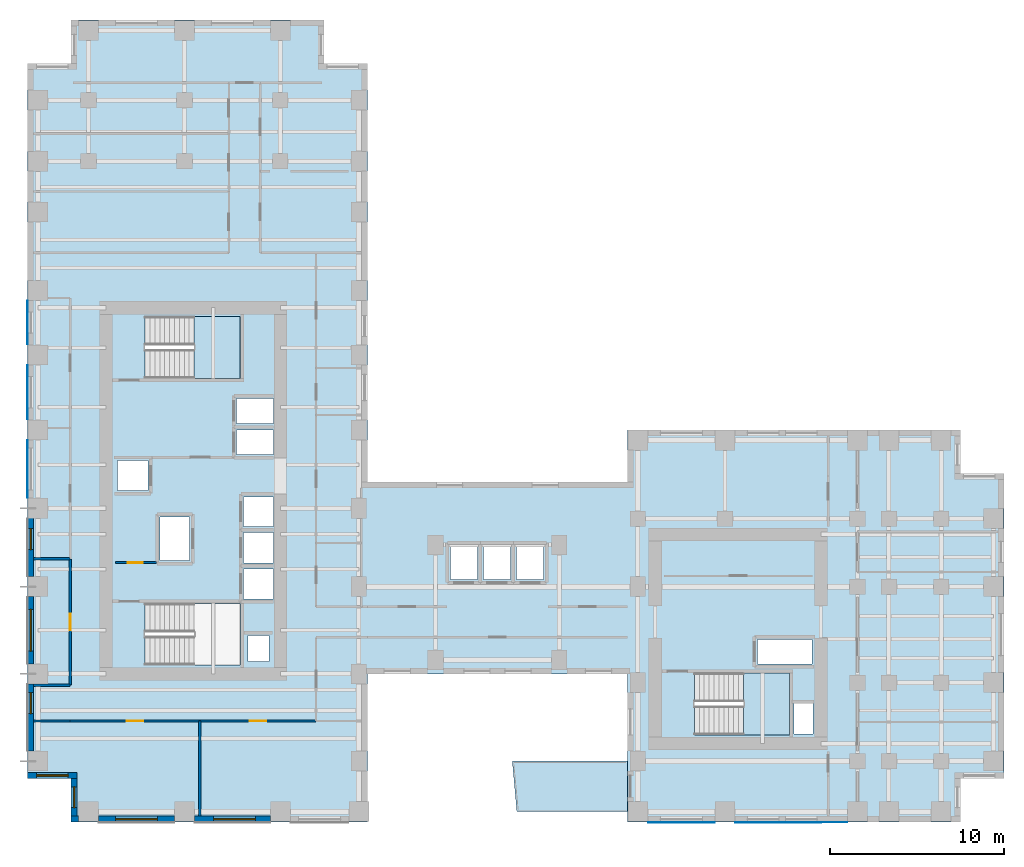
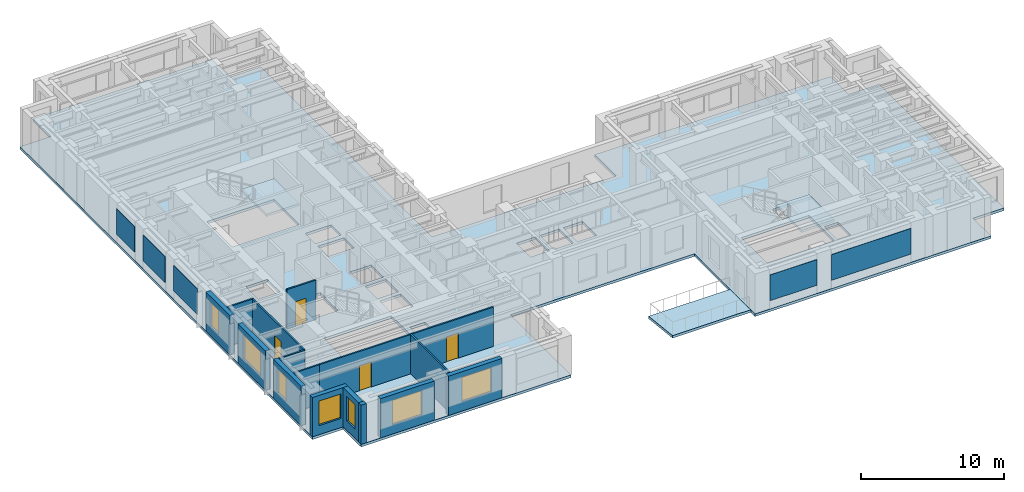
# One storey, part 3 of 12: 16 walls, 7 windows, 5 plates, 4 doors, 4 slabs, 11 openings, 2 elements without a shape of their own.
"""IFC4 building model written with IfcOpenShell, lengths in metres."""

from ifc_helpers import new_model, si_unit, direction, frame, frame_2d, origin, origin_2d, place, context, subcontext, project, spatial, polyline, rectangle, outline, extrude, source, transform, mapped, material, layer, layer_set, type_object, element, fill, aggregate, save


model = new_model("IFC4")

# Units and contexts
model_context = context("Model", 3, precision=1e-05, world=origin(), true_north=direction((0.0, 1.0)))
body_context = subcontext(model_context, "Body", "Model", "MODEL_VIEW")
ifc_project = project(units=[si_unit("LENGTHUNIT", "METRE"), si_unit("AREAUNIT", "SQUARE_METRE"), si_unit("VOLUMEUNIT", "CUBIC_METRE"), si_unit("PLANEANGLEUNIT", "RADIAN"), si_unit("MASSUNIT", "GRAM", prefix="KILO")], contexts=[model_context])

# Site, building, storey
site_placement = place(None, origin())
site = spatial("IfcSite", under=ifc_project, at=site_placement, CompositionType="ELEMENT")
building_placement = place(site_placement, origin())
building = spatial("IfcBuilding", under=site, at=building_placement, Name="Kharzan Plaza Tower", CompositionType="ELEMENT")
storey_placement = place(building_placement, frame((0.0, 0.0, 91.800048828125)))
storey = spatial("IfcBuildingStorey", under=building, at=storey_placement, Name="L24", CompositionType="ELEMENT", Elevation=91.800048828125)

# Slab
ifc_material_1 = material(Name="Concrete C40/50", Category="concrete")
ifc_layer_1 = layer(ifc_material_1, 0.219970703125)
ifc_layer_set_1 = layer_set([ifc_layer_1], Name="Concrete C40/50")
slab_type_1 = type_object("IfcSlabType", Name="SL-FLOOR-220", PredefinedType="FLOOR", material=ifc_layer_set_1)
slab_1_placement = place(storey_placement, frame((0.0, 0.0, -0.219970703125)))
element("IfcSlab", 1, at=slab_1_placement, inside=storey, type_object=slab_type_1, Name="L24 Composite Structural Floor Slab 220 mm", PredefinedType="FLOOR", context=body_context, shape_type="SweptSolid", body=[
    extrude(outline(polyline([(34.39990234375, 19.5), (19.5, 19.5), (19.5, 43.5), (17.0, 43.5), (17.0, 46.0), (2.5, 46.0), (2.5, 43.5), (0.0, 43.5), (0.0, 2.5), (2.5, 2.5), (2.5, 0.0), (19.5, 0.0), (19.5, 8.5), (34.39990234375, 8.5), (34.39990234375, 0.0), (53.5, 0.0), (53.5, 2.5), (56.0, 2.5), (56.0, 20.0), (53.5, 20.0), (53.5, 22.5), (34.39990234375, 22.5), (34.39990234375, 19.5)]), holes=[polyline([(12.199951171875, 9.0), (12.199951171875, 12.550048828125), (6.75, 12.550048828125), (6.75, 9.0), (12.199951171875, 9.0)]), polyline([(14.10009765625, 12.800048828125), (14.10009765625, 14.530029296875), (12.39990234375, 14.530029296875), (12.39990234375, 12.800048828125), (14.10009765625, 12.800048828125)]), polyline([(14.10009765625, 14.8701171875), (14.10009765625, 16.60009765625), (12.39990234375, 16.60009765625), (12.39990234375, 14.8701171875), (14.10009765625, 14.8701171875)]), polyline([(9.300048828125, 15.0), (9.300048828125, 17.5), (7.60009765625, 17.5), (7.60009765625, 15.0), (9.300048828125, 15.0)]), polyline([(6.89990234375, 19.010009765625), (6.89990234375, 20.72998046875), (5.14990234375, 20.72998046875), (5.14990234375, 19.010009765625), (6.89990234375, 19.010009765625)]), polyline([(14.10009765625, 21.070068359375), (14.10009765625, 22.489990234375), (12.0, 22.489990234375), (12.0, 21.070068359375), (14.10009765625, 21.070068359375)]), polyline([(14.10009765625, 22.8701171875), (14.10009765625, 24.2900390625), (12.0, 24.2900390625), (12.0, 22.8701171875), (14.10009765625, 22.8701171875)]), polyline([(12.199951171875, 25.449951171875), (12.199951171875, 29.0), (6.75, 29.0), (6.75, 25.449951171875), (12.199951171875, 25.449951171875)]), polyline([(45.050048828125, 5.050048828125), (45.050048828125, 6.800048828125), (43.949951171875, 6.800048828125), (43.949951171875, 5.050048828125), (45.050048828125, 5.050048828125)]), polyline([(43.699951171875, 5.0), (43.699951171875, 8.550048828125), (38.25, 8.550048828125), (38.25, 5.0), (43.699951171875, 5.0)]), polyline([(45.0, 9.070068359375), (45.0, 10.469970703125), (41.85009765625, 10.469970703125), (41.85009765625, 9.070068359375), (45.0, 9.070068359375)]), polyline([(13.85009765625, 9.199951171875), (13.85009765625, 10.699951171875), (12.64990234375, 10.699951171875), (12.64990234375, 9.199951171875), (13.85009765625, 9.199951171875)]), polyline([(25.800048828125, 13.89990234375), (25.800048828125, 15.85009765625), (24.25, 15.85009765625), (24.25, 13.89990234375), (25.800048828125, 13.89990234375)]), polyline([(27.699951171875, 13.89990234375), (27.699951171875, 15.85009765625), (26.14990234375, 15.85009765625), (26.14990234375, 13.89990234375), (27.699951171875, 13.89990234375)]), polyline([(29.60009765625, 13.89990234375), (29.60009765625, 15.85009765625), (28.050048828125, 15.85009765625), (28.050048828125, 13.89990234375), (29.60009765625, 13.89990234375)]), polyline([(14.10009765625, 16.93994140625), (14.10009765625, 18.64990234375), (12.39990234375, 18.64990234375), (12.39990234375, 16.93994140625), (14.10009765625, 16.93994140625)])]), origin(), (0.0, 0.0, 1.0), 0.219970703125),
])

# Stair, slab
stair_type_1 = type_object("IfcStairType", Name="STR-ST-2", PredefinedType="HALF_TURN_STAIR", material=ifc_material_1)
stair_1_placement = place(storey_placement, origin())
stair_1 = element("IfcStair", 2, at=stair_1_placement, inside=storey, type_object=stair_type_1, Name="L24 Protected Exit Stair ST-2", PredefinedType="HALF_TURN_STAIR")
ifc_layer_2 = layer(ifc_material_1, 0.219970703125)
ifc_layer_set_2 = layer_set([ifc_layer_2], Name="Concrete C40/50")
slab_type_2 = type_object("IfcSlabType", Name="SL-LANDING-220", PredefinedType="LANDING", material=ifc_layer_set_2)
slab_2_placement = place(storey_placement, frame((0.0, 0.0, 1.599853515625)))
slab_2 = element("IfcSlab", 3, at=slab_2_placement, type_object=slab_type_2, Name="ST-2 landing 1", PredefinedType="LANDING", context=body_context, shape_type="SweptSolid", body=[
    extrude(outline(polyline([(9.550048828125, 25.449951171875), (12.199951171875, 25.449951171875), (12.199951171875, 29.0), (9.550048828125, 29.0), (9.550048828125, 25.449951171875)])), origin(), (0.0, 0.0, 1.0), 0.2001953125),
])
aggregate(stair_1, [slab_2])

stair_type_2 = type_object("IfcStairType", Name="STR-ST-3", PredefinedType="HALF_TURN_STAIR", material=ifc_material_1)
stair_2_placement = place(storey_placement, origin())
stair_2 = element("IfcStair", 4, at=stair_2_placement, inside=storey, type_object=stair_type_2, Name="L24 Protected Exit Stair ST-3", PredefinedType="HALF_TURN_STAIR")
slab_3_placement = place(storey_placement, frame((0.0, 0.0, 1.599853515625)))
slab_3 = element("IfcSlab", 5, at=slab_3_placement, type_object=slab_type_2, Name="ST-3 landing 1", PredefinedType="LANDING", context=body_context, shape_type="SweptSolid", body=[
    extrude(outline(polyline([(41.050048828125, 5.0), (43.699951171875, 5.0), (43.699951171875, 8.550048828125), (41.050048828125, 8.550048828125), (41.050048828125, 5.0)])), origin(), (0.0, 0.0, 1.0), 0.2001953125),
])
aggregate(stair_2, [slab_3])

# Slab
ifc_layer_3 = layer(ifc_material_1, 0.215087890625)
ifc_layer_set_3 = layer_set([ifc_layer_3], Name="Concrete C40/50")
slab_type_3 = type_object("IfcSlabType", Name="SL-TRAY-215", PredefinedType="ROOF", material=ifc_layer_set_3)
slab_4_placement = place(storey_placement, frame((0.0, 0.0, -0.215087890625)))
element("IfcSlab", 6, at=slab_4_placement, inside=storey, type_object=slab_type_3, Name="L24 Sky Terrace Tray Slab", PredefinedType="ROOF", context=body_context, shape_type="SweptSolid", body=[
    extrude(outline(polyline([(28.06396484375, 0.60009765625), (34.39990234375, 0.60009765625), (34.39990234375, 3.5), (27.800048828125, 3.5), (28.06396484375, 0.60009765625)])), origin(), (0.0, 0.0, 1.0), 0.215087890625),
])

# Plates
ifc_material_2 = material(Name="Perforated Bronze-Anodized Aluminium", Category="aluminium")
ifc_layer_4 = layer(ifc_material_2, 0.030029296875)
ifc_layer_set_4 = layer_set([ifc_layer_4], Name="Perforated Bronze-Anodized Aluminium")
plate_type = type_object("IfcPlateType", Name="PLT-MASH-SCREEN", PredefinedType="SHEET", material=ifc_layer_set_4)
shared_shape_1 = source(origin(), body_context, "Body", "SweptSolid", [
    extrude(rectangle(XDim=3.31396484375, YDim=0.030029296875, at=origin_2d()), origin(), (0.0, 0.0, 1.0), 2.199951171875),
])
plate_1_placement = place(storey_placement, frame((-0.012939453125, 20.25, 0.72998046875), z_axis=(0.0, 0.0, 1.0), x_axis=(0.0, -1.0, 0.0)))
element("IfcPlate", 7, at=plate_1_placement, inside=storey, type_object=plate_type, Name="L24 Perforated Mashrabiya Solar Screen", PredefinedType="SHEET", context=body_context, shape_type="MappedRepresentation", body=[
    mapped(shared_shape_1, transform((0.0, 0.0, 0.0), x_axis=(1.0, 0.0, 0.0), y_axis=(0.0, 1.0, 0.0), z_axis=(0.0, 0.0, 1.0))),
])
shared_shape_2 = source(origin(), body_context, "Body", "SweptSolid", [
    extrude(rectangle(XDim=2.513916015625, YDim=0.030029296875, at=origin_2d()), origin(), (0.0, 0.0, 1.0), 2.199951171875),
])
plate_2_placement = place(storey_placement, frame((-0.012939453125, 28.64990234375, 0.72998046875), z_axis=(0.0, 0.0, 1.0), x_axis=(0.0, -1.0, 0.0)))
element("IfcPlate", 8, at=plate_2_placement, inside=storey, type_object=plate_type, Name="L24 Perforated Mashrabiya Solar Screen", PredefinedType="SHEET", context=body_context, shape_type="MappedRepresentation", body=[
    mapped(shared_shape_2, transform((0.0, 0.0, 0.0), x_axis=(1.0, 0.0, 0.0), y_axis=(0.0, 1.0, 0.0), z_axis=(0.0, 0.0, 1.0))),
])
shared_shape_3 = source(origin(), body_context, "Body", "SweptSolid", [
    extrude(rectangle(XDim=3.81396484375, YDim=0.030029296875, at=origin_2d()), origin(), (0.0, 0.0, 1.0), 2.199951171875),
])
plate_3_placement = place(storey_placement, frame((37.5, -0.012939453125, 0.72998046875), z_axis=(0.0, 0.0, 1.0), x_axis=(1.0, 0.0, 0.0)))
element("IfcPlate", 9, at=plate_3_placement, inside=storey, type_object=plate_type, Name="L24 Perforated Mashrabiya Solar Screen", PredefinedType="SHEET", context=body_context, shape_type="MappedRepresentation", body=[
    mapped(shared_shape_3, transform((0.0, 0.0, 0.0), x_axis=(1.0, 0.0, 0.0), y_axis=(0.0, 1.0, 0.0), z_axis=(0.0, 0.0, 1.0))),
])
shared_shape_4 = source(origin(), body_context, "Body", "SweptSolid", [
    extrude(rectangle(XDim=6.4140625, YDim=0.030029296875, at=origin_2d()), origin(), (0.0, 0.0, 1.0), 2.199951171875),
])
plate_4_placement = place(storey_placement, frame((43.800048828125, -0.012939453125, 0.72998046875), z_axis=(0.0, 0.0, 1.0), x_axis=(1.0, 0.0, 0.0)))
element("IfcPlate", 10, at=plate_4_placement, inside=storey, type_object=plate_type, Name="L24 Perforated Mashrabiya Solar Screen", PredefinedType="SHEET", context=body_context, shape_type="MappedRepresentation", body=[
    mapped(shared_shape_4, transform((0.0, 0.0, 0.0), x_axis=(1.0, 0.0, 0.0), y_axis=(0.0, 1.0, 0.0), z_axis=(0.0, 0.0, 1.0))),
])
shared_shape_5 = source(origin(), body_context, "Body", "SweptSolid", [
    extrude(rectangle(XDim=3.114013671875, YDim=0.030029296875, at=origin_2d()), origin(), (0.0, 0.0, 1.0), 2.199951171875),
])
plate_5_placement = place(storey_placement, frame((-0.012939453125, 24.64990234375, 0.72998046875), z_axis=(0.0, 0.0, 1.0), x_axis=(0.0, -1.0, 0.0)))
element("IfcPlate", 11, at=plate_5_placement, inside=storey, type_object=plate_type, Name="L24 Perforated Mashrabiya Solar Screen", PredefinedType="SHEET", context=body_context, shape_type="MappedRepresentation", body=[
    mapped(shared_shape_5, transform((0.0, 0.0, 0.0), x_axis=(1.0, 0.0, 0.0), y_axis=(0.0, 1.0, 0.0), z_axis=(0.0, 0.0, 1.0))),
])

# Wall, opening, window
ifc_layer_5 = layer(ifc_material_1, 0.35009765625)
ifc_layer_set_5 = layer_set([ifc_layer_5], Name="Concrete C40/50")
wall_type_1 = type_object("IfcWallType", Name="WL-EXT-MAS-Z2", PredefinedType="SOLIDWALL", material=ifc_layer_set_5)
wall_1_placement = place(storey_placement, frame((0.175048828125, 17.427001953125, 0.0), z_axis=(0.0, 0.0, 1.0), x_axis=(0.0, -1.0, 0.0)))
wall_1 = element("IfcWall", 12, at=wall_1_placement, inside=storey, type_object=wall_type_1, Name="L24 Masonry-Frame Exterior Wall 23", PredefinedType="SOLIDWALL", context=body_context, shape_type="SweptSolid", body=[
    extrude(rectangle(XDim=3.35400390625, YDim=0.35009765625, at=frame_2d((1.677001953125, 0.0))), origin(), (0.0, 0.0, 1.0), 3.364990234375),
])
opening_1_placement = place(wall_1_placement, frame((0.598388671875, 0.0, 0.780029296875)))
opening_1 = element("IfcOpeningElement", 13, at=opening_1_placement, cuts=wall_1, Name="Opening W3", PredefinedType="OPENING", context=body_context, shape_type="SweptSolid", body=[
    extrude(rectangle(XDim=1.199951171875, YDim=2.10009765625, at=frame_2d((0.60009765625, 1.050048828125))), frame((0.0, 0.18505859375, 0.0), z_axis=(0.0, -1.0, 0.0), x_axis=(1.0, 0.0, 0.0)), (0.0, 0.0, 1.0), 0.3701171875),
])
ifc_material_3 = material(Name="Low-E Double Glazing", Category="glass")
window_type_1 = type_object("IfcWindowType", Name="WN-REC-1200x2100", PartitioningType="SINGLE_PANEL", PredefinedType="WINDOW", material=ifc_material_3)
shared_shape_6 = source(origin(), body_context, "Body", "SweptSolid", [
    extrude(rectangle(XDim=1.199951171875, YDim=2.10009765625, at=frame_2d((0.60009765625, 1.050048828125))), frame((0.0, 0.030029296875, 0.0), z_axis=(0.0, -1.0, 0.0), x_axis=(1.0, 0.0, 0.0)), (0.0, 0.0, 1.0), 0.06005859375),
])
window_1_placement = place(opening_1_placement, origin())
window_1 = element("IfcWindow", 14, at=window_1_placement, inside=storey, type_object=window_type_1, Name="L24 Recessed Solar-Control Window 23-1", OverallHeight=2.10009765625, OverallWidth=1.199951171875, PartitioningType="SINGLE_PANEL", PredefinedType="WINDOW", context=body_context, shape_type="MappedRepresentation", body=[
    mapped(shared_shape_6, transform((0.0, 0.0, 0.0), x_axis=(1.0, 0.0, 0.0), y_axis=(0.0, 1.0, 0.0), z_axis=(0.0, 0.0, 1.0))),
])
fill(opening_1, window_1)

wall_2_placement = place(storey_placement, frame((0.175048828125, 12.927001953125, 0.0), z_axis=(0.0, 0.0, 1.0), x_axis=(0.0, -1.0, 0.0)))
wall_2 = element("IfcWall", 15, at=wall_2_placement, inside=storey, type_object=wall_type_1, Name="L24 Masonry-Frame Exterior Wall 24", PredefinedType="SOLIDWALL", context=body_context, shape_type="SweptSolid", body=[
    extrude(rectangle(XDim=3.85400390625, YDim=0.35009765625, at=frame_2d((1.927001953125, 0.0))), origin(), (0.0, 0.0, 1.0), 3.364990234375),
])
opening_2_placement = place(wall_2_placement, frame((0.72705078125, 0.0, 0.780029296875)))
opening_2 = element("IfcOpeningElement", 16, at=opening_2_placement, cuts=wall_2, Name="Opening W2", PredefinedType="OPENING", context=body_context, shape_type="SweptSolid", body=[
    extrude(rectangle(XDim=2.39990234375, YDim=2.10009765625, at=frame_2d((1.199951171875, 1.050048828125))), frame((0.0, 0.18505859375, 0.0), z_axis=(0.0, -1.0, 0.0), x_axis=(1.0, 0.0, 0.0)), (0.0, 0.0, 1.0), 0.3701171875),
])
window_type_2 = type_object("IfcWindowType", Name="WN-REC-2400x2100", PartitioningType="SINGLE_PANEL", PredefinedType="WINDOW", material=ifc_material_3)
shared_shape_7 = source(origin(), body_context, "Body", "SweptSolid", [
    extrude(rectangle(XDim=2.39990234375, YDim=2.10009765625, at=frame_2d((1.199951171875, 1.050048828125))), frame((0.0, 0.030029296875, 0.0), z_axis=(0.0, -1.0, 0.0), x_axis=(1.0, 0.0, 0.0)), (0.0, 0.0, 1.0), 0.06005859375),
])
window_2_placement = place(opening_2_placement, origin())
window_2 = element("IfcWindow", 17, at=window_2_placement, inside=storey, type_object=window_type_2, Name="L24 Wide Recessed Solar-Control Window 24-1", OverallHeight=2.10009765625, OverallWidth=2.39990234375, PartitioningType="SINGLE_PANEL", PredefinedType="WINDOW", context=body_context, shape_type="MappedRepresentation", body=[
    mapped(shared_shape_7, transform((0.0, 0.0, 0.0), x_axis=(1.0, 0.0, 0.0), y_axis=(0.0, 1.0, 0.0), z_axis=(0.0, 0.0, 1.0))),
])
fill(opening_2, window_2)

wall_3_placement = place(storey_placement, frame((0.175048828125, 7.927001953125, 0.0), z_axis=(0.0, 0.0, 1.0), x_axis=(0.0, -1.0, 0.0)))
wall_3 = element("IfcWall", 18, at=wall_3_placement, inside=storey, type_object=wall_type_1, Name="L24 Masonry-Frame Exterior Wall 25", PredefinedType="SOLIDWALL", context=body_context, shape_type="SweptSolid", body=[
    extrude(rectangle(XDim=3.85400390625, YDim=0.35009765625, at=frame_2d((1.927001953125, 0.0))), origin(), (0.0, 0.0, 1.0), 3.364990234375),
])
opening_3_placement = place(wall_3_placement, frame((0.501953125, 0.0, 0.780029296875)))
opening_3 = element("IfcOpeningElement", 19, at=opening_3_placement, cuts=wall_3, Name="Opening W3", PredefinedType="OPENING", context=body_context, shape_type="SweptSolid", body=[
    extrude(rectangle(XDim=1.199951171875, YDim=2.10009765625, at=frame_2d((0.60009765625, 1.050048828125))), frame((0.0, 0.18505859375, 0.0), z_axis=(0.0, -1.0, 0.0), x_axis=(1.0, 0.0, 0.0)), (0.0, 0.0, 1.0), 0.3701171875),
])
window_3_placement = place(opening_3_placement, origin())
window_3 = element("IfcWindow", 20, at=window_3_placement, inside=storey, type_object=window_type_1, Name="L24 Recessed Solar-Control Window 25-1", OverallHeight=2.10009765625, OverallWidth=1.199951171875, PartitioningType="SINGLE_PANEL", PredefinedType="WINDOW", context=body_context, shape_type="MappedRepresentation", body=[
    mapped(shared_shape_6, transform((0.0, 0.0, 0.0), x_axis=(1.0, 0.0, 0.0), y_axis=(0.0, 1.0, 0.0), z_axis=(0.0, 0.0, 1.0))),
])
fill(opening_3, window_3)

wall_4_placement = place(storey_placement, frame((0.0, 2.675048828125, 0.0), z_axis=(0.0, 0.0, 1.0), x_axis=(1.0, 0.0, 0.0)))
wall_4 = element("IfcWall", 21, at=wall_4_placement, inside=storey, type_object=wall_type_1, Name="L24 Masonry-Frame Exterior Wall 26", PredefinedType="SOLIDWALL", context=body_context, shape_type="SweptSolid", body=[
    extrude(rectangle(XDim=2.85009765625, YDim=0.35009765625, at=frame_2d((1.425048828125, 0.0))), origin(), (0.0, 0.0, 1.0), 3.364990234375),
])
opening_4_placement = place(wall_4_placement, frame((0.52490234375, 0.0, 0.780029296875)))
opening_4 = element("IfcOpeningElement", 22, at=opening_4_placement, cuts=wall_4, Name="Opening W1", PredefinedType="OPENING", context=body_context, shape_type="SweptSolid", body=[
    extrude(rectangle(XDim=1.800048828125, YDim=2.10009765625, at=frame_2d((0.89990234375, 1.050048828125))), frame((0.0, 0.18505859375, 0.0), z_axis=(0.0, -1.0, 0.0), x_axis=(1.0, 0.0, 0.0)), (0.0, 0.0, 1.0), 0.3701171875),
])
window_type_3 = type_object("IfcWindowType", Name="WN-REC-1800x2100", PartitioningType="SINGLE_PANEL", PredefinedType="WINDOW", material=ifc_material_3)
shared_shape_8 = source(origin(), body_context, "Body", "SweptSolid", [
    extrude(rectangle(XDim=1.800048828125, YDim=2.10009765625, at=frame_2d((0.89990234375, 1.050048828125))), frame((0.0, 0.030029296875, 0.0), z_axis=(0.0, -1.0, 0.0), x_axis=(1.0, 0.0, 0.0)), (0.0, 0.0, 1.0), 0.06005859375),
])
window_4_placement = place(opening_4_placement, origin())
window_4 = element("IfcWindow", 23, at=window_4_placement, inside=storey, type_object=window_type_3, Name="L24 Recessed Solar-Control Window 26-1", OverallHeight=2.10009765625, OverallWidth=1.800048828125, PartitioningType="SINGLE_PANEL", PredefinedType="WINDOW", context=body_context, shape_type="MappedRepresentation", body=[
    mapped(shared_shape_8, transform((0.0, 0.0, 0.0), x_axis=(1.0, 0.0, 0.0), y_axis=(0.0, 1.0, 0.0), z_axis=(0.0, 0.0, 1.0))),
])
fill(opening_4, window_4)

wall_5_placement = place(storey_placement, frame((2.675048828125, 2.501953125, 0.0), z_axis=(0.0, 0.0, 1.0), x_axis=(0.0, -1.0, 0.0)))
wall_5 = element("IfcWall", 24, at=wall_5_placement, inside=storey, type_object=wall_type_1, Name="L24 Masonry-Frame Exterior Wall 27", PredefinedType="SOLIDWALL", context=body_context, shape_type="SweptSolid", body=[
    extrude(rectangle(XDim=2.154052734375, YDim=0.35009765625, at=frame_2d((1.0771484375, 0.0))), origin(), (0.0, 0.0, 1.0), 3.364990234375),
])
opening_5_placement = place(wall_5_placement, frame((0.47705078125, 0.0, 0.780029296875)))
opening_5 = element("IfcOpeningElement", 25, at=opening_5_placement, cuts=wall_5, Name="Opening W3", PredefinedType="OPENING", context=body_context, shape_type="SweptSolid", body=[
    extrude(rectangle(XDim=1.199951171875, YDim=2.10009765625, at=frame_2d((0.60009765625, 1.050048828125))), frame((0.0, 0.18505859375, 0.0), z_axis=(0.0, -1.0, 0.0), x_axis=(1.0, 0.0, 0.0)), (0.0, 0.0, 1.0), 0.3701171875),
])
window_5_placement = place(opening_5_placement, origin())
window_5 = element("IfcWindow", 26, at=window_5_placement, inside=storey, type_object=window_type_1, Name="L24 Recessed Solar-Control Window 27-1", OverallHeight=2.10009765625, OverallWidth=1.199951171875, PartitioningType="SINGLE_PANEL", PredefinedType="WINDOW", context=body_context, shape_type="MappedRepresentation", body=[
    mapped(shared_shape_6, transform((0.0, 0.0, 0.0), x_axis=(1.0, 0.0, 0.0), y_axis=(0.0, 1.0, 0.0), z_axis=(0.0, 0.0, 1.0))),
])
fill(opening_5, window_5)

wall_6_placement = place(storey_placement, frame((4.072998046875, 0.175048828125, 0.0), z_axis=(0.0, 0.0, 1.0), x_axis=(1.0, 0.0, 0.0)))
wall_6 = element("IfcWall", 27, at=wall_6_placement, inside=storey, type_object=wall_type_1, Name="L24 Masonry-Frame Exterior Wall 29", PredefinedType="SOLIDWALL", context=body_context, shape_type="SweptSolid", body=[
    extrude(rectangle(XDim=4.35400390625, YDim=0.35009765625, at=frame_2d((2.177001953125, 0.0))), origin(), (0.0, 0.0, 1.0), 3.364990234375),
])
opening_6_placement = place(wall_6_placement, frame((0.97705078125, 0.0, 0.780029296875)))
opening_6 = element("IfcOpeningElement", 28, at=opening_6_placement, cuts=wall_6, Name="Opening W2", PredefinedType="OPENING", context=body_context, shape_type="SweptSolid", body=[
    extrude(rectangle(XDim=2.39990234375, YDim=2.10009765625, at=frame_2d((1.199951171875, 1.050048828125))), frame((0.0, 0.18505859375, 0.0), z_axis=(0.0, -1.0, 0.0), x_axis=(1.0, 0.0, 0.0)), (0.0, 0.0, 1.0), 0.3701171875),
])
window_6_placement = place(opening_6_placement, origin())
window_6 = element("IfcWindow", 29, at=window_6_placement, inside=storey, type_object=window_type_2, Name="L24 Wide Recessed Solar-Control Window 29-1", OverallHeight=2.10009765625, OverallWidth=2.39990234375, PartitioningType="SINGLE_PANEL", PredefinedType="WINDOW", context=body_context, shape_type="MappedRepresentation", body=[
    mapped(shared_shape_7, transform((0.0, 0.0, 0.0), x_axis=(1.0, 0.0, 0.0), y_axis=(0.0, 1.0, 0.0), z_axis=(0.0, 0.0, 1.0))),
])
fill(opening_6, window_6)

wall_7_placement = place(storey_placement, frame((9.572998046875, 0.175048828125, 0.0), z_axis=(0.0, 0.0, 1.0), x_axis=(1.0, 0.0, 0.0)))
wall_7 = element("IfcWall", 30, at=wall_7_placement, inside=storey, type_object=wall_type_1, Name="L24 Masonry-Frame Exterior Wall 30", PredefinedType="SOLIDWALL", context=body_context, shape_type="SweptSolid", body=[
    extrude(rectangle(XDim=4.35400390625, YDim=0.35009765625, at=frame_2d((2.177001953125, 0.0))), origin(), (0.0, 0.0, 1.0), 3.364990234375),
])
opening_7_placement = place(wall_7_placement, frame((1.096435546875, 0.0, 0.780029296875)))
opening_7 = element("IfcOpeningElement", 31, at=opening_7_placement, cuts=wall_7, Name="Opening W2", PredefinedType="OPENING", context=body_context, shape_type="SweptSolid", body=[
    extrude(rectangle(XDim=2.39990234375, YDim=2.10009765625, at=frame_2d((1.199951171875, 1.050048828125))), frame((0.0, 0.18505859375, 0.0), z_axis=(0.0, -1.0, 0.0), x_axis=(1.0, 0.0, 0.0)), (0.0, 0.0, 1.0), 0.3701171875),
])
window_7_placement = place(opening_7_placement, origin())
window_7 = element("IfcWindow", 32, at=window_7_placement, inside=storey, type_object=window_type_2, Name="L24 Wide Recessed Solar-Control Window 30-1", OverallHeight=2.10009765625, OverallWidth=2.39990234375, PartitioningType="SINGLE_PANEL", PredefinedType="WINDOW", context=body_context, shape_type="MappedRepresentation", body=[
    mapped(shared_shape_7, transform((0.0, 0.0, 0.0), x_axis=(1.0, 0.0, 0.0), y_axis=(0.0, 1.0, 0.0), z_axis=(0.0, 0.0, 1.0))),
])
fill(opening_7, window_7)

# Wall, opening, door
ifc_material_4 = material(Name="Fire-Rated Gypsum Board Partition", Category="gypsum")
ifc_layer_6 = layer(ifc_material_4, 0.125)
ifc_layer_set_6 = layer_set([ifc_layer_6], Name="Fire-Rated Gypsum Board Partition")
wall_type_2 = type_object("IfcWallType", Name="WL-INT-PART-125", PredefinedType="PARTITIONING", material=ifc_layer_set_6)
wall_8_placement = place(storey_placement, frame((5.050048828125, 14.8798828125, 0.0), z_axis=(0.0, 0.0, 1.0), x_axis=(1.0, 0.0, 0.0)))
wall_8 = element("IfcWall", 33, at=wall_8_placement, inside=storey, type_object=wall_type_2, Name="L24 Interior Partition CA-K0", PredefinedType="PARTITIONING", context=body_context, shape_type="SweptSolid", body=[
    extrude(rectangle(XDim=2.349853515625, YDim=0.125, at=frame_2d((1.1748046875, 0.0))), origin(), (0.0, 0.0, 1.0), 3.364990234375),
])
opening_8_placement = place(wall_8_placement, frame((0.699951171875, 0.0, 0.0)))
opening_8 = element("IfcOpeningElement", 34, at=opening_8_placement, cuts=wall_8, Name="Opening RD1", PredefinedType="OPENING", context=body_context, shape_type="SweptSolid", body=[
    extrude(rectangle(XDim=0.85009765625, YDim=2.10009765625, at=frame_2d((0.425048828125, 1.050048828125))), frame((0.0, 0.072509765625, 0.0), z_axis=(0.0, -1.0, 0.0), x_axis=(1.0, 0.0, 0.0)), (0.0, 0.0, 1.0), 0.14501953125),
])
ifc_material_5 = material(Name="Powder-Coated Fire-Rated Steel", Category="steel")
door_type_1 = type_object("IfcDoorType", Name="DR-RISER-900", OperationType="NOTDEFINED", PredefinedType="DOOR", material=ifc_material_5)
shared_shape_9 = source(origin(), body_context, "Body", "SweptSolid", [
    extrude(rectangle(XDim=0.85009765625, YDim=2.10009765625, at=frame_2d((0.425048828125, 1.050048828125))), frame((0.0, 0.02490234375, 0.0), z_axis=(0.0, -1.0, 0.0), x_axis=(1.0, 0.0, 0.0)), (0.0, 0.0, 1.0), 0.050048828125),
])
door_1_placement = place(opening_8_placement, origin())
door_1 = element("IfcDoor", 35, at=door_1_placement, inside=storey, type_object=door_type_1, Name="L24 Cleaners Store Door", OperationType="SINGLE_SWING_RIGHT", OverallHeight=2.10009765625, OverallWidth=0.85009765625, PredefinedType="DOOR", context=body_context, shape_type="MappedRepresentation", body=[
    mapped(shared_shape_9, transform((0.0, 0.0, 0.0), x_axis=(1.0, 0.0, 0.0), y_axis=(0.0, 1.0, 0.0), z_axis=(0.0, 0.0, 1.0))),
])
fill(opening_8, door_1)

wall_9_placement = place(storey_placement, frame((2.449951171875, 5.800048828125, 0.0), z_axis=(0.0, 0.0, 1.0), x_axis=(1.0, 0.0, 0.0)))
wall_9 = element("IfcWall", 36, at=wall_9_placement, inside=storey, type_object=wall_type_2, Name="L24 Interior Partition SH-SS-1", PredefinedType="PARTITIONING", context=body_context, shape_type="SweptSolid", body=[
    extrude(rectangle(XDim=7.43212890625, YDim=0.125, at=frame_2d((3.716064453125, 0.0))), origin(), (0.0, 0.0, 1.0), 3.364990234375),
])
opening_9_placement = place(wall_9_placement, frame((3.240966796875, 0.0, 0.0)))
opening_9 = element("IfcOpeningElement", 37, at=opening_9_placement, cuts=wall_9, Name="Opening OD1", PredefinedType="OPENING", context=body_context, shape_type="SweptSolid", body=[
    extrude(rectangle(XDim=0.949951171875, YDim=2.14990234375, at=frame_2d((0.47509765625, 1.074951171875))), frame((0.0, 0.072509765625, 0.0), z_axis=(0.0, -1.0, 0.0), x_axis=(1.0, 0.0, 0.0)), (0.0, 0.0, 1.0), 0.14501953125),
])
ifc_material_6 = material(Name="Acoustic Solid-Core Stained Oak", Category="timber")
door_type_2 = type_object("IfcDoorType", Name="DR-OFF-SINGLE", OperationType="NOTDEFINED", PredefinedType="DOOR", material=ifc_material_6)
shared_shape_10 = source(origin(), body_context, "Body", "SweptSolid", [
    extrude(rectangle(XDim=0.949951171875, YDim=2.14990234375, at=frame_2d((0.47509765625, 1.074951171875))), frame((0.0, 0.02490234375, 0.0), z_axis=(0.0, -1.0, 0.0), x_axis=(1.0, 0.0, 0.0)), (0.0, 0.0, 1.0), 0.050048828125),
])
door_2_placement = place(opening_9_placement, origin())
door_2 = element("IfcDoor", 38, at=door_2_placement, inside=storey, type_object=door_type_2, Name="L24 HSE Management Office Door", OperationType="SINGLE_SWING_RIGHT", OverallHeight=2.14990234375, OverallWidth=0.949951171875, PredefinedType="DOOR", context=body_context, shape_type="MappedRepresentation", body=[
    mapped(shared_shape_10, transform((0.0, 0.0, 0.0), x_axis=(1.0, 0.0, 0.0), y_axis=(0.0, 1.0, 0.0), z_axis=(0.0, 0.0, 1.0))),
])
fill(opening_9, door_2)

wall_10_placement = place(storey_placement, frame((9.882080078125, 5.800048828125, 0.0), z_axis=(0.0, 0.0, 1.0), x_axis=(1.0, 0.0, 0.0)))
wall_10 = element("IfcWall", 39, at=wall_10_placement, inside=storey, type_object=wall_type_2, Name="L24 Interior Partition SH-SS-2", PredefinedType="PARTITIONING", context=body_context, shape_type="SweptSolid", body=[
    extrude(rectangle(XDim=6.66796875, YDim=0.125, at=frame_2d((3.333984375, 0.0))), origin(), (0.0, 0.0, 1.0), 3.364990234375),
])
opening_10_placement = place(wall_10_placement, frame((2.85888671875, 0.0, 0.0)))
opening_10 = element("IfcOpeningElement", 40, at=opening_10_placement, cuts=wall_10, Name="Opening OD1", PredefinedType="OPENING", context=body_context, shape_type="SweptSolid", body=[
    extrude(rectangle(XDim=0.949951171875, YDim=2.14990234375, at=frame_2d((0.47509765625, 1.074951171875))), frame((0.0, 0.072509765625, 0.0), z_axis=(0.0, -1.0, 0.0), x_axis=(1.0, 0.0, 0.0)), (0.0, 0.0, 1.0), 0.14501953125),
])
door_3_placement = place(opening_10_placement, origin())
door_3 = element("IfcDoor", 41, at=door_3_placement, inside=storey, type_object=door_type_2, Name="L24 Safety Briefing Room Door", OperationType="SINGLE_SWING_LEFT", OverallHeight=2.14990234375, OverallWidth=0.949951171875, PredefinedType="DOOR", context=body_context, shape_type="MappedRepresentation", body=[
    mapped(shared_shape_10, transform((0.0, 0.0, 0.0), x_axis=(1.0, 0.0, 0.0), y_axis=(0.0, 1.0, 0.0), z_axis=(0.0, 0.0, 1.0))),
])
fill(opening_10, door_3)

wall_11_placement = place(storey_placement, frame((2.449951171875, 7.85009765625, 0.0), z_axis=(0.0, 0.0, 1.0), x_axis=(0.0, 1.0, 0.0)))
wall_11 = element("IfcWall", 42, at=wall_11_placement, inside=storey, type_object=wall_type_2, Name="L24 Interior Partition SH-WW-1", PredefinedType="PARTITIONING", context=body_context, shape_type="SweptSolid", body=[
    extrude(rectangle(XDim=7.25, YDim=0.125, at=frame_2d((3.625, 0.0))), origin(), (0.0, 0.0, 1.0), 3.364990234375),
])
opening_11_placement = place(wall_11_placement, frame((3.14990234375, 0.0, 0.0)))
opening_11 = element("IfcOpeningElement", 43, at=opening_11_placement, cuts=wall_11, Name="Opening OD1", PredefinedType="OPENING", context=body_context, shape_type="SweptSolid", body=[
    extrude(rectangle(XDim=0.949951171875, YDim=2.14990234375, at=frame_2d((0.47509765625, 1.074951171875))), frame((0.0, 0.072509765625, 0.0), z_axis=(0.0, -1.0, 0.0), x_axis=(1.0, 0.0, 0.0)), (0.0, 0.0, 1.0), 0.14501953125),
])
door_4_placement = place(opening_11_placement, origin())
door_4 = element("IfcDoor", 44, at=door_4_placement, inside=storey, type_object=door_type_2, Name="L24 Medical Examination Room Door", OperationType="SINGLE_SWING_LEFT", OverallHeight=2.14990234375, OverallWidth=0.949951171875, PredefinedType="DOOR", context=body_context, shape_type="MappedRepresentation", body=[
    mapped(shared_shape_10, transform((0.0, 0.0, 0.0), x_axis=(1.0, 0.0, 0.0), y_axis=(0.0, 1.0, 0.0), z_axis=(0.0, 0.0, 1.0))),
])
fill(opening_11, door_4)

# Walls
shared_shape_11 = source(origin(), body_context, "Body", "SweptSolid", [
    extrude(rectangle(XDim=2.097900390625, YDim=0.125, at=frame_2d((1.048828125, 0.0))), origin(), (0.0, 0.0, 1.0), 3.364990234375),
])
for number, where, z_axis, x_axis, name in (
    (45, (0.35205078125, 7.85009765625, 0.0), (0.0, 0.0, 1.0), (1.0, 0.0, 0.0), "L24 Interior Partition SH-RWS0"),
    (46, (0.35205078125, 5.800048828125, 0.0), (0.0, 0.0, 1.0), (1.0, 0.0, 0.0), "L24 Interior Partition SH-SS-EXT"),
    (47, (0.35205078125, 15.10009765625, 0.0), (0.0, 0.0, 1.0), (1.0, 0.0, 0.0), "L24 Interior Partition SH-WH-1"),
):
    element("IfcWall", number, at=place(storey_placement, frame(where, z_axis=z_axis, x_axis=x_axis)), inside=storey, type_object=wall_type_2, Name=name, PredefinedType="PARTITIONING", context=body_context, shape_type="MappedRepresentation", body=[
        mapped(shared_shape_11, transform((0.0, 0.0, 0.0), x_axis=(1.0, 0.0, 0.0), y_axis=(0.0, 1.0, 0.0), z_axis=(0.0, 0.0, 1.0))),
    ])
shared_shape_12 = source(origin(), body_context, "Body", "SweptSolid", [
    extrude(rectangle(XDim=0.427001953125, YDim=0.35009765625, at=frame_2d((0.21337890625, 0.0))), origin(), (0.0, 0.0, 1.0), 3.364990234375),
])
wall_12_placement = place(storey_placement, frame((2.5, 0.175048828125, 0.0), z_axis=(0.0, 0.0, 1.0), x_axis=(1.0, 0.0, 0.0)))
element("IfcWall", 48, at=wall_12_placement, inside=storey, type_object=wall_type_1, Name="L24 Masonry-Frame Exterior Wall 28", PredefinedType="SOLIDWALL", context=body_context, shape_type="MappedRepresentation", body=[
    mapped(shared_shape_12, transform((0.0, 0.0, 0.0), x_axis=(1.0, 0.0, 0.0), y_axis=(0.0, 1.0, 0.0), z_axis=(0.0, 0.0, 1.0))),
])
shared_shape_13 = source(origin(), body_context, "Body", "SweptSolid", [
    extrude(rectangle(XDim=5.447998046875, YDim=0.125, at=frame_2d((2.72412109375, 0.0))), origin(), (0.0, 0.0, 1.0), 3.364990234375),
])
wall_13_placement = place(storey_placement, frame((9.882080078125, 0.35205078125, 0.0), z_axis=(0.0, 0.0, 1.0), x_axis=(0.0, 1.0, 0.0)))
element("IfcWall", 49, at=wall_13_placement, inside=storey, type_object=wall_type_2, Name="L24 Interior Partition SH-SV-1", PredefinedType="PARTITIONING", context=body_context, shape_type="MappedRepresentation", body=[
    mapped(shared_shape_13, transform((0.0, 0.0, 0.0), x_axis=(1.0, 0.0, 0.0), y_axis=(0.0, 1.0, 0.0), z_axis=(0.0, 0.0, 1.0))),
])

save(model, "model.ifc")
